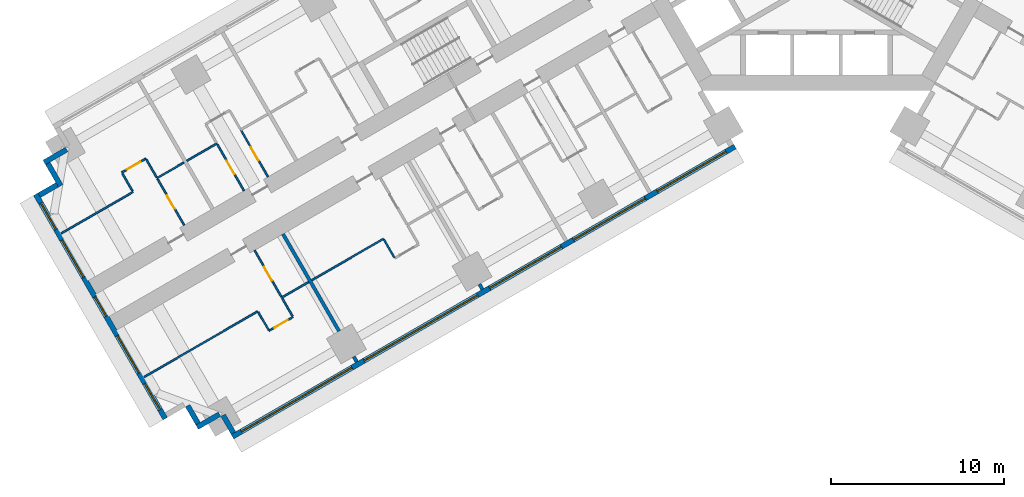
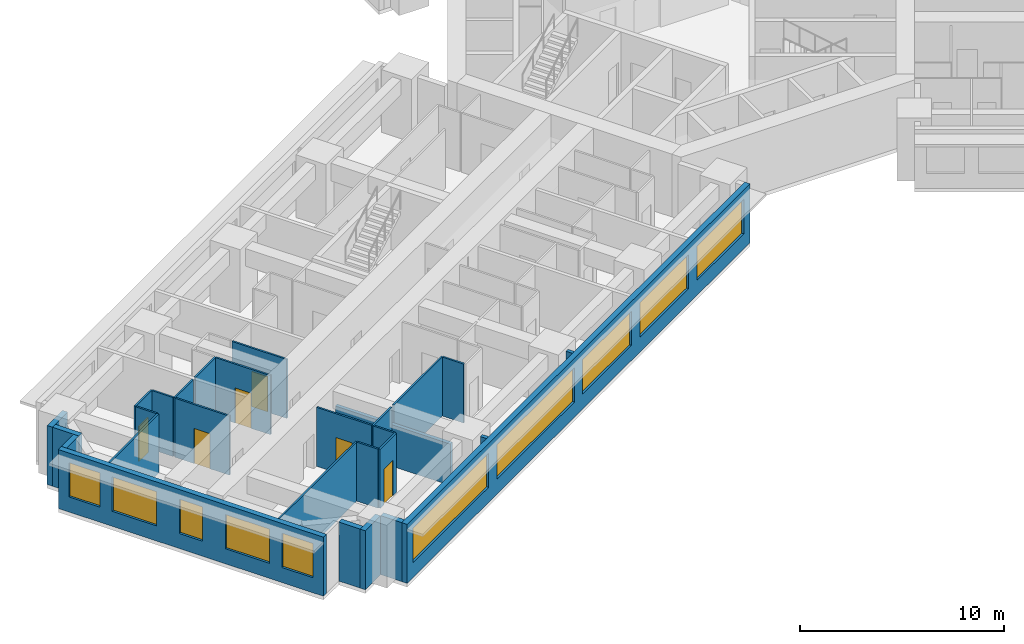
# One storey, part 3 of 17: 28 walls, 10 windows, 6 doors, 16 openings.
"""IFC4 building model written with IfcOpenShell, lengths in metres."""

import ifcopenshell
import ifcopenshell.guid

model = None  # the IFC model being written
_history = None  # IfcOwnerHistory: only IFC2X3 demands one
_inside = {}  # id of a spatial element -> (the spatial element, [elements in it])
_under = {}  # id of a project, library or spatial element -> (it, [spatial elements below it])
_declared = {}  # id of a project -> (the project, [libraries it declares])
_typed = {}  # id of a type object -> (the type object, [elements of that type])
_made_of = {}  # id of a material, layer set ... -> (it, [elements and type objects made of it])


def new_model(schema):
    """Start an empty IFC model of exactly this schema.

    Asked for "IFC4X3", IfcOpenShell would pick the latest addendum, in which some entities
    have other attributes; the version numbers below select the first issue.
    IFC2X3 requires an IfcOwnerHistory on every rooted entity: one is made here for all.
    """
    global model, _history
    if schema == "IFC4X3":
        model = ifcopenshell.file(schema_version=(4, 3, 0, 0))
    else:
        model = ifcopenshell.file(schema=schema)
    _inside.clear()
    _under.clear()
    _declared.clear()
    _typed.clear()
    _made_of.clear()
    _history = None
    if model.schema == "IFC2X3":
        org = make("IfcOrganization", Name="unknown")
        user = make(
            "IfcPersonAndOrganization",
            ThePerson=make("IfcPerson", FamilyName="unknown"),
            TheOrganization=org,
        )
        app = make(
            "IfcApplication",
            ApplicationDeveloper=org,
            Version="unknown",
            ApplicationFullName="unknown",
            ApplicationIdentifier="unknown",
        )
        _history = make(
            "IfcOwnerHistory",
            OwningUser=user,
            OwningApplication=app,
            ChangeAction="ADDED",
            CreationDate=0,
        )
    return model


def make(cls, **values):
    """One entity of the class cls with the attributes given. An attribute that is None is left unset."""
    return model.create_entity(
        cls, **{name: value for name, value in values.items() if value is not None}
    )


def rooted(cls, **values):
    """An entity with a GlobalId (a new one), such as an element, a storey or a relation."""
    return make(cls, GlobalId=ifcopenshell.guid.new(), OwnerHistory=_history, **values)


def si_unit(unit_type, name, prefix=None):
    """IfcSIUnit, for example si_unit("LENGTHUNIT", "METRE", prefix="MILLI")."""
    return make("IfcSIUnit", UnitType=unit_type, Prefix=prefix, Name=name)


def assignment(units):
    """IfcUnitAssignment: the units of a project."""
    return None if units is None else make("IfcUnitAssignment", Units=units)


def point(xyz):
    """IfcCartesianPoint."""
    return None if xyz is None else make("IfcCartesianPoint", Coordinates=xyz)


def direction(xyz):
    """IfcDirection."""
    return None if xyz is None else make("IfcDirection", DirectionRatios=xyz)


def frame(location, z_axis=None, x_axis=None):
    """IfcAxis2Placement3D, a coordinate frame: its origin and axes. An axis left out is left unset."""
    return make(
        "IfcAxis2Placement3D",
        Location=point(location),
        Axis=direction(z_axis),
        RefDirection=direction(x_axis),
    )


def frame_2d(location, x_axis=None):
    """IfcAxis2Placement2D, a coordinate frame in the plane: its origin and x axis."""
    return make(
        "IfcAxis2Placement2D", Location=point(location), RefDirection=direction(x_axis)
    )


def origin():
    """The frame at (0, 0, 0) with its axes left unset."""
    return frame((0.0, 0.0, 0.0))


def place(relative_to, where):
    """IfcLocalPlacement: puts the frame where relative to a parent placement (None: the world)."""
    return make(
        "IfcLocalPlacement", PlacementRelTo=relative_to, RelativePlacement=where
    )


def context(
    kind, dimensions, precision=None, world=None, true_north=None, identifier=None
):
    """IfcGeometricRepresentationContext, for example the 3D "Model" context."""
    return make(
        "IfcGeometricRepresentationContext",
        ContextIdentifier=identifier,
        ContextType=kind,
        CoordinateSpaceDimension=dimensions,
        Precision=precision,
        WorldCoordinateSystem=world,
        TrueNorth=true_north,
    )


def subcontext(parent, identifier, kind, view, scale=None):
    """IfcGeometricRepresentationSubContext, for example "Body" below "Model"."""
    return make(
        "IfcGeometricRepresentationSubContext",
        ContextIdentifier=identifier,
        ContextType=kind,
        ParentContext=parent,
        TargetScale=scale,
        TargetView=view,
    )


def project(units=None, contexts=None):
    """IfcProject with its units and contexts."""
    return rooted(
        "IfcProject",
        Name="project",
        RepresentationContexts=contexts,
        UnitsInContext=assignment(units),
    )


def spatial(cls, under=None, at=None, **own):
    """A site, building, storey or space (cls), placed at a placement, below another one or the project."""
    s = rooted(cls, ObjectPlacement=at, **own)
    if under is not None:
        _under.setdefault(under.id(), (under, []))[1].append(s)
    return s


def profile(cls, at=None, kind="AREA", **sizes):
    """A parametric profile (cls). Its sizes go by their IFC names, for example OverallWidth=200.0."""
    return make(cls, ProfileType=kind, Position=at, **sizes)


def rectangle(**sizes):
    """IfcRectangleProfileDef."""
    return profile("IfcRectangleProfileDef", **sizes)


def extrude(swept, where, along, depth):
    """IfcExtrudedAreaSolid: the profile swept, set in the frame where, extruded along a direction by depth."""
    return make(
        "IfcExtrudedAreaSolid",
        SweptArea=swept,
        Position=where,
        ExtrudedDirection=direction(along),
        Depth=depth,
    )


def shape(context_of_items, identifier, shape_type, items):
    """IfcShapeRepresentation: the items that make up one representation, for example the "Body"."""
    return make(
        "IfcShapeRepresentation",
        ContextOfItems=context_of_items,
        RepresentationIdentifier=identifier,
        RepresentationType=shape_type,
        Items=items,
    )


def material(Name=None, Category=None):
    """IfcMaterial."""
    return make("IfcMaterial", Name=Name, Category=Category)


def layer(
    of_material, thickness, ventilated=None, Name=None, Category=None, Priority=None
):
    """IfcMaterialLayer: one layer of a wall or slab, of a material (None: an air gap)."""
    return make(
        "IfcMaterialLayer",
        Material=of_material,
        LayerThickness=thickness,
        IsVentilated=ventilated,
        Name=Name,
        Category=Category,
        Priority=Priority,
    )


def layer_set(layers, Name=None):
    """IfcMaterialLayerSet."""
    return make("IfcMaterialLayerSet", MaterialLayers=layers, LayerSetName=Name)


def made_of(thing, what):
    """Note that an element or type object is made of a material, layer set ...; save() writes the relation."""
    if what is not None:
        _made_of.setdefault(what.id(), (what, []))[1].append(thing)
    return thing


def type_object(cls, material=None, **own):
    """A type object (cls), such as IfcWallType, which elements share."""
    return made_of(rooted(cls, **own), material)


def element(
    cls,
    number,
    at=None,
    inside=None,
    cuts=None,
    type_object=None,
    material=None,
    context=None,
    identifier="Body",
    shape_type=None,
    held_by="IfcProductDefinitionShape",
    body=None,
    shapes=None,
    **own,
):
    """One element of the class cls, such as IfcWall. Its Tag is "e" and its number.

    at: its placement. inside: the storey or other place that contains it. cuts: it is an
    opening in that element (IfcRelVoidsElement). A single representation is given by context,
    identifier, shape_type and body (its items); several are given by shapes. held_by: the class
    of the entity that holds the representations. save() writes the other relations.
    """
    e = rooted(cls, Tag="e%d" % number, ObjectPlacement=at, **own)
    if body is not None:
        shapes = [shape(context, identifier, shape_type, body)]
    if shapes is not None:
        e.Representation = make(held_by, Representations=shapes)
    if inside is not None:
        _inside.setdefault(inside.id(), (inside, []))[1].append(e)
    if cuts is not None:
        rooted(
            "IfcRelVoidsElement", RelatingBuildingElement=cuts, RelatedOpeningElement=e
        )
    if type_object is not None:
        _typed.setdefault(type_object.id(), (type_object, []))[1].append(e)
    return made_of(e, material)


def fill(opening, filler):
    """IfcRelFillsElement: the door or window that sits in an opening."""
    return rooted(
        "IfcRelFillsElement",
        RelatingOpeningElement=opening,
        RelatedBuildingElement=filler,
    )


def aggregate(whole, parts):
    """IfcRelAggregates: a whole, such as a stair, and the parts it consists of."""
    return rooted("IfcRelAggregates", RelatingObject=whole, RelatedObjects=parts)


def save(model, path):
    """Write the relations noted so far, then the file.

    IfcRelAggregates (storeys below a building ...), IfcRelContainedInSpatialStructure (elements
    in a storey), IfcRelDefinesByType, IfcRelAssociatesMaterial and IfcRelDeclares: one each for
    every whole, place, type object, material and project.
    """
    for whole, parts in _under.values():
        aggregate(whole, parts)
    for where, things in _inside.values():
        rooted(
            "IfcRelContainedInSpatialStructure",
            RelatedElements=things,
            RelatingStructure=where,
        )
    for kind, things in _typed.values():
        rooted("IfcRelDefinesByType", RelatedObjects=things, RelatingType=kind)
    for what, things in _made_of.values():
        rooted("IfcRelAssociatesMaterial", RelatedObjects=things, RelatingMaterial=what)
    for by, libraries in _declared.values():
        rooted("IfcRelDeclares", RelatingContext=by, RelatedDefinitions=libraries)
    model.write(path)


model = new_model("IFC4")

# Units and contexts
model_context = context("Model", 3, precision=1e-05, world=origin(), true_north=direction((0.0, 1.0)))
body_context = subcontext(model_context, "Body", "Model", "MODEL_VIEW")
ifc_project = project(units=[si_unit("LENGTHUNIT", "METRE"), si_unit("AREAUNIT", "SQUARE_METRE"), si_unit("VOLUMEUNIT", "CUBIC_METRE"), si_unit("PLANEANGLEUNIT", "RADIAN"), si_unit("MASSUNIT", "GRAM", prefix="KILO")], contexts=[model_context])

# Site, building, storey
site_placement = place(None, origin())
site = spatial("IfcSite", under=ifc_project, at=site_placement, CompositionType="ELEMENT")
building_placement = place(site_placement, origin())
building = spatial("IfcBuilding", under=site, at=building_placement, Name="Impinga Residences", CompositionType="ELEMENT")
storey_placement = place(building_placement, frame((0.0, 0.0, 33.5)))
storey = spatial("IfcBuildingStorey", under=building, at=storey_placement, Name="L07", CompositionType="ELEMENT", Elevation=33.5)

# Walls
ifc_material_1 = material(Name="Terracotta rainscreen on blockwork", Category="masonry")
ifc_layer_1 = layer(ifc_material_1, 0.300048828125)
ifc_layer_set_1 = layer_set([ifc_layer_1], Name="EW1 external wall, terracotta rainscreen on blockwork 300")
wall_type_1 = type_object("IfcWallType", Name="EW1 external wall, terracotta rainscreen on blockwork 300", PredefinedType="SOLIDWALL", material=ifc_layer_set_1)
wall_1_placement = place(storey_placement, frame((-33.7685546875, -31.274169921875, 0.0), z_axis=(0.0, 0.0, 1.0), x_axis=(-0.499940577336, 0.866059708757, 0.0)))
element("IfcWall", 1, at=wall_1_placement, inside=storey, type_object=wall_type_1, Name="External wall EW1 L07", PredefinedType="SOLIDWALL", context=body_context, shape_type="SweptSolid", body=[
    extrude(rectangle(XDim=1.195068359375, YDim=0.300048828125, at=frame_2d((0.59765625, 0.0))), origin(), (0.0, 0.0, 1.0), 3.530029296875),
])
wall_2_placement = place(storey_placement, frame((-34.573486328125, -30.18017578125, 0.0), z_axis=(0.0, 0.0, 1.0), x_axis=(-0.866031096941, -0.499990139034, 0.0)))
element("IfcWall", 2, at=wall_2_placement, inside=storey, type_object=wall_type_1, Name="External wall EW1 L07", PredefinedType="SOLIDWALL", context=body_context, shape_type="SweptSolid", body=[
    extrude(rectangle(XDim=1.5, YDim=0.300048828125, at=frame_2d((0.75, 0.0))), origin(), (0.0, 0.0, 1.0), 3.530029296875),
])
wall_3_placement = place(storey_placement, frame((-35.817626953125, -30.72509765625, 0.0), z_axis=(0.0, 0.0, 1.0), x_axis=(-0.499969057507, 0.866043267704, 0.0)))
element("IfcWall", 3, at=wall_3_placement, inside=storey, type_object=wall_type_1, Name="External wall EW1 L07", PredefinedType="SOLIDWALL", context=body_context, shape_type="SweptSolid", body=[
    extrude(rectangle(XDim=1.19970703125, YDim=0.300048828125, at=frame_2d((0.599853515625, 0.0))), origin(), (0.0, 0.0, 1.0), 3.530029296875),
])

# Wall, openings, windows
wall_4_placement = place(storey_placement, frame((-37.716552734375, -30.43603515625, 0.0), z_axis=(0.0, 0.0, 1.0), x_axis=(-0.499997186618, 0.866027028085, 0.0)))
wall_4 = element("IfcWall", 4, at=wall_4_placement, inside=storey, type_object=wall_type_1, Name="External wall EW1 L07", PredefinedType="SOLIDWALL", context=body_context, shape_type="SweptSolid", body=[
    extrude(rectangle(XDim=15.0, YDim=0.300048828125, at=frame_2d((7.5, 0.0))), origin(), (0.0, 0.0, 1.0), 3.530029296875),
])
opening_1_placement = place(wall_4_placement, frame((0.60009765625, 0.0, 0.89990234375)))
opening_1 = element("IfcOpeningElement", 5, at=opening_1_placement, cuts=wall_4, Name="Opening W1", PredefinedType="OPENING", context=body_context, shape_type="SweptSolid", body=[
    extrude(rectangle(XDim=1.75, YDim=2.050048828125, at=frame_2d((0.875, 1.02490234375))), frame((0.0, 0.159912109375, 0.0), z_axis=(0.0, -1.0, 0.0), x_axis=(1.0, 0.0, 0.0)), (0.0, 0.0, 1.0), 0.320068359375),
])
opening_2_placement = place(wall_4_placement, frame((3.050048828125, 0.0, 0.89990234375)))
opening_2 = element("IfcOpeningElement", 6, at=opening_2_placement, cuts=wall_4, Name="Opening W2", PredefinedType="OPENING", context=body_context, shape_type="SweptSolid", body=[
    extrude(rectangle(XDim=2.5, YDim=2.050048828125, at=frame_2d((1.25, 1.02490234375))), frame((0.0, 0.159912109375, 0.0), z_axis=(0.0, -1.0, 0.0), x_axis=(1.0, 0.0, 0.0)), (0.0, 0.0, 1.0), 0.320068359375),
])
opening_3_placement = place(wall_4_placement, frame((6.85009765625, 0.0, 0.89990234375)))
opening_3 = element("IfcOpeningElement", 7, at=opening_3_placement, cuts=wall_4, Name="Opening WE1", PredefinedType="OPENING", context=body_context, shape_type="SweptSolid", body=[
    extrude(rectangle(XDim=1.300048828125, YDim=2.050048828125, at=frame_2d((0.64990234375, 1.02490234375))), frame((0.0, 0.159912109375, 0.0), z_axis=(0.0, -1.0, 0.0), x_axis=(1.0, 0.0, 0.0)), (0.0, 0.0, 1.0), 0.320068359375),
])
opening_4_placement = place(wall_4_placement, frame((9.449951171875, 0.0, 0.89990234375)))
opening_4 = element("IfcOpeningElement", 8, at=opening_4_placement, cuts=wall_4, Name="Opening W2", PredefinedType="OPENING", context=body_context, shape_type="SweptSolid", body=[
    extrude(rectangle(XDim=2.5, YDim=2.050048828125, at=frame_2d((1.25, 1.02490234375))), frame((0.0, 0.159912109375, 0.0), z_axis=(0.0, -1.0, 0.0), x_axis=(1.0, 0.0, 0.0)), (0.0, 0.0, 1.0), 0.320068359375),
])
opening_5_placement = place(wall_4_placement, frame((12.64990234375, 0.0, 0.89990234375)))
opening_5 = element("IfcOpeningElement", 9, at=opening_5_placement, cuts=wall_4, Name="Opening W1", PredefinedType="OPENING", context=body_context, shape_type="SweptSolid", body=[
    extrude(rectangle(XDim=1.75, YDim=2.050048828125, at=frame_2d((0.875, 1.02490234375))), frame((0.0, 0.159912109375, 0.0), z_axis=(0.0, -1.0, 0.0), x_axis=(1.0, 0.0, 0.0)), (0.0, 0.0, 1.0), 0.320068359375),
])
ifc_material_2 = material(Name="Aluminium window, clear double glazing", Category="aluminium")
window_type_1 = type_object("IfcWindowType", Name="W1 ribbon window 1750x2050", PartitioningType="SINGLE_PANEL", PredefinedType="WINDOW", material=ifc_material_2)
window_1_placement = place(opening_1_placement, origin())
window_1 = element("IfcWindow", 10, at=window_1_placement, inside=storey, type_object=window_type_1, Name="Window L07", OverallHeight=2.050048828125, OverallWidth=1.75, PartitioningType="SINGLE_PANEL", PredefinedType="WINDOW", context=body_context, shape_type="SweptSolid", body=[
    extrude(rectangle(XDim=1.75, YDim=2.050048828125, at=frame_2d((0.875, 1.02490234375))), frame((0.0, 0.030029296875, 0.0), z_axis=(0.0, -1.0, 0.0), x_axis=(1.0, 0.0, 0.0)), (0.0, 0.0, 1.0), 0.06005859375),
])
fill(opening_1, window_1)
window_2_placement = place(opening_5_placement, origin())
window_2 = element("IfcWindow", 11, at=window_2_placement, inside=storey, type_object=window_type_1, Name="Window L07", OverallHeight=2.050048828125, OverallWidth=1.75, PartitioningType="SINGLE_PANEL", PredefinedType="WINDOW", context=body_context, shape_type="SweptSolid", body=[
    extrude(rectangle(XDim=1.75, YDim=2.050048828125, at=frame_2d((0.875, 1.02490234375))), frame((0.0, 0.030029296875, 0.0), z_axis=(0.0, -1.0, 0.0), x_axis=(1.0, 0.0, 0.0)), (0.0, 0.0, 1.0), 0.06005859375),
])
fill(opening_5, window_2)
window_type_2 = type_object("IfcWindowType", Name="W2 ribbon window 2500x2050", PartitioningType="SINGLE_PANEL", PredefinedType="WINDOW", material=ifc_material_2)
window_3_placement = place(opening_2_placement, origin())
window_3 = element("IfcWindow", 12, at=window_3_placement, inside=storey, type_object=window_type_2, Name="Window L07", OverallHeight=2.050048828125, OverallWidth=2.5, PartitioningType="SINGLE_PANEL", PredefinedType="WINDOW", context=body_context, shape_type="SweptSolid", body=[
    extrude(rectangle(XDim=2.5, YDim=2.050048828125, at=frame_2d((1.25, 1.02490234375))), frame((0.0, 0.030029296875, 0.0), z_axis=(0.0, -1.0, 0.0), x_axis=(1.0, 0.0, 0.0)), (0.0, 0.0, 1.0), 0.06005859375),
])
fill(opening_2, window_3)
window_4_placement = place(opening_4_placement, origin())
window_4 = element("IfcWindow", 13, at=window_4_placement, inside=storey, type_object=window_type_2, Name="Window L07", OverallHeight=2.050048828125, OverallWidth=2.5, PartitioningType="SINGLE_PANEL", PredefinedType="WINDOW", context=body_context, shape_type="SweptSolid", body=[
    extrude(rectangle(XDim=2.5, YDim=2.050048828125, at=frame_2d((1.25, 1.02490234375))), frame((0.0, 0.030029296875, 0.0), z_axis=(0.0, -1.0, 0.0), x_axis=(1.0, 0.0, 0.0)), (0.0, 0.0, 1.0), 0.06005859375),
])
fill(opening_4, window_4)
window_type_3 = type_object("IfcWindowType", Name="WE1 corridor window 1300x2050", PartitioningType="SINGLE_PANEL", PredefinedType="WINDOW", material=ifc_material_2)
window_5_placement = place(opening_3_placement, origin())
window_5 = element("IfcWindow", 14, at=window_5_placement, inside=storey, type_object=window_type_3, Name="Window L07", OverallHeight=2.050048828125, OverallWidth=1.300048828125, PartitioningType="SINGLE_PANEL", PredefinedType="WINDOW", context=body_context, shape_type="SweptSolid", body=[
    extrude(rectangle(XDim=1.300048828125, YDim=2.050048828125, at=frame_2d((0.64990234375, 1.02490234375))), frame((0.0, 0.030029296875, 0.0), z_axis=(0.0, -1.0, 0.0), x_axis=(1.0, 0.0, 0.0)), (0.0, 0.0, 1.0), 0.06005859375),
])
fill(opening_3, window_5)

# Walls
wall_5_placement = place(storey_placement, frame((-45.01171875, -17.50048828125, 0.0), z_axis=(0.0, 0.0, 1.0), x_axis=(0.866059708757, 0.499940577336, 0.0)))
element("IfcWall", 15, at=wall_5_placement, inside=storey, type_object=wall_type_1, Name="External wall EW1 L07", PredefinedType="SOLIDWALL", context=body_context, shape_type="SweptSolid", body=[
    extrude(rectangle(XDim=1.195068359375, YDim=0.300048828125, at=frame_2d((0.59765625, 0.0))), origin(), (0.0, 0.0, 1.0), 3.530029296875),
])
for number, where, z_axis, x_axis, name in (
    (16, (-43.767578125, -16.955322265625, 0.0), (0.0, 0.0, 1.0), (-0.499990139034, 0.866031096941, 0.0), "External wall EW1 L07"),
    (17, (-44.722412109375, -15.6015625, 0.0), (0.0, 0.0, 1.0), (0.866031096941, 0.499990139034, 0.0), "External wall EW1 L07"),
):
    element("IfcWall", number, at=place(storey_placement, frame(where, z_axis=z_axis, x_axis=x_axis)), inside=storey, type_object=wall_type_1, Name=name, PredefinedType="SOLIDWALL", context=body_context, shape_type="SweptSolid", body=[
        extrude(rectangle(XDim=1.5, YDim=0.300048828125, at=frame_2d((0.75, 0.0))), origin(), (0.0, 0.0, 1.0), 3.530029296875),
    ])

# Wall, openings, windows
wall_6_placement = place(storey_placement, frame((-4.72509765625, -14.67919921875, 0.0), z_axis=(0.0, 0.0, 1.0), x_axis=(-0.866024291668, -0.500001926238, 0.0)))
wall_6 = element("IfcWall", 18, at=wall_6_placement, inside=storey, type_object=wall_type_1, Name="External wall EW1 L07", PredefinedType="SOLIDWALL", context=body_context, shape_type="SweptSolid", body=[
    extrude(rectangle(XDim=33.599853515625, YDim=0.300048828125, at=frame_2d((16.7998046875, 0.0))), origin(), (0.0, 0.0, 1.0), 3.530029296875),
])
opening_6_placement = place(wall_6_placement, frame((0.60009765625, 0.0, 0.89990234375)))
opening_6 = element("IfcOpeningElement", 19, at=opening_6_placement, cuts=wall_6, Name="Opening W3", PredefinedType="OPENING", context=body_context, shape_type="SweptSolid", body=[
    extrude(rectangle(XDim=4.60009765625, YDim=2.050048828125, at=frame_2d((2.300048828125, 1.02490234375))), frame((0.0, 0.159912109375, 0.0), z_axis=(0.0, -1.0, 0.0), x_axis=(1.0, 0.0, 0.0)), (0.0, 0.0, 1.0), 0.320068359375),
])
opening_7_placement = place(wall_6_placement, frame((6.0, 0.0, 0.89990234375)))
opening_7 = element("IfcOpeningElement", 20, at=opening_7_placement, cuts=wall_6, Name="Opening W8", PredefinedType="OPENING", context=body_context, shape_type="SweptSolid", body=[
    extrude(rectangle(XDim=4.800048828125, YDim=2.050048828125, at=frame_2d((2.39990234375, 1.02490234375))), frame((0.0, 0.159912109375, 0.0), z_axis=(0.0, -1.0, 0.0), x_axis=(1.0, 0.0, 0.0)), (0.0, 0.0, 1.0), 0.320068359375),
])
opening_8_placement = place(wall_6_placement, frame((11.60009765625, 0.0, 0.89990234375)))
opening_8 = element("IfcOpeningElement", 21, at=opening_8_placement, cuts=wall_6, Name="Opening W8", PredefinedType="OPENING", context=body_context, shape_type="SweptSolid", body=[
    extrude(rectangle(XDim=4.800048828125, YDim=2.050048828125, at=frame_2d((2.39990234375, 1.02490234375))), frame((0.0, 0.159912109375, 0.0), z_axis=(0.0, -1.0, 0.0), x_axis=(1.0, 0.0, 0.0)), (0.0, 0.0, 1.0), 0.320068359375),
])
opening_9_placement = place(wall_6_placement, frame((17.199951171875, 0.0, 0.89990234375)))
opening_9 = element("IfcOpeningElement", 22, at=opening_9_placement, cuts=wall_6, Name="Opening W5", PredefinedType="OPENING", context=body_context, shape_type="SweptSolid", body=[
    extrude(rectangle(XDim=7.60009765625, YDim=2.050048828125, at=frame_2d((3.800048828125, 1.02490234375))), frame((0.0, 0.159912109375, 0.0), z_axis=(0.0, -1.0, 0.0), x_axis=(1.0, 0.0, 0.0)), (0.0, 0.0, 1.0), 0.320068359375),
])
opening_10_placement = place(wall_6_placement, frame((25.60009765625, 0.0, 0.89990234375)))
opening_10 = element("IfcOpeningElement", 23, at=opening_10_placement, cuts=wall_6, Name="Opening W12", PredefinedType="OPENING", context=body_context, shape_type="SweptSolid", body=[
    extrude(rectangle(XDim=7.39990234375, YDim=2.050048828125, at=frame_2d((3.699951171875, 1.02490234375))), frame((0.0, 0.159912109375, 0.0), z_axis=(0.0, -1.0, 0.0), x_axis=(1.0, 0.0, 0.0)), (0.0, 0.0, 1.0), 0.320068359375),
])
window_type_4 = type_object("IfcWindowType", Name="W12 ribbon window 7400x2050", PartitioningType="SINGLE_PANEL", PredefinedType="WINDOW", material=ifc_material_2)
window_6_placement = place(opening_10_placement, origin())
window_6 = element("IfcWindow", 24, at=window_6_placement, inside=storey, type_object=window_type_4, Name="Window L07", OverallHeight=2.050048828125, OverallWidth=7.39990234375, PartitioningType="SINGLE_PANEL", PredefinedType="WINDOW", context=body_context, shape_type="SweptSolid", body=[
    extrude(rectangle(XDim=7.39990234375, YDim=2.050048828125, at=frame_2d((3.699951171875, 1.02490234375))), frame((0.0, 0.030029296875, 0.0), z_axis=(0.0, -1.0, 0.0), x_axis=(1.0, 0.0, 0.0)), (0.0, 0.0, 1.0), 0.06005859375),
])
fill(opening_10, window_6)
window_type_5 = type_object("IfcWindowType", Name="W3 ribbon window 4600x2050", PartitioningType="SINGLE_PANEL", PredefinedType="WINDOW", material=ifc_material_2)
window_7_placement = place(opening_6_placement, origin())
window_7 = element("IfcWindow", 25, at=window_7_placement, inside=storey, type_object=window_type_5, Name="Window L07", OverallHeight=2.050048828125, OverallWidth=4.60009765625, PartitioningType="SINGLE_PANEL", PredefinedType="WINDOW", context=body_context, shape_type="SweptSolid", body=[
    extrude(rectangle(XDim=4.60009765625, YDim=2.050048828125, at=frame_2d((2.300048828125, 1.02490234375))), frame((0.0, 0.030029296875, 0.0), z_axis=(0.0, -1.0, 0.0), x_axis=(1.0, 0.0, 0.0)), (0.0, 0.0, 1.0), 0.06005859375),
])
fill(opening_6, window_7)
window_type_6 = type_object("IfcWindowType", Name="W5 ribbon window 7600x2050", PartitioningType="SINGLE_PANEL", PredefinedType="WINDOW", material=ifc_material_2)
window_8_placement = place(opening_9_placement, origin())
window_8 = element("IfcWindow", 26, at=window_8_placement, inside=storey, type_object=window_type_6, Name="Window L07", OverallHeight=2.050048828125, OverallWidth=7.60009765625, PartitioningType="SINGLE_PANEL", PredefinedType="WINDOW", context=body_context, shape_type="SweptSolid", body=[
    extrude(rectangle(XDim=7.60009765625, YDim=2.050048828125, at=frame_2d((3.800048828125, 1.02490234375))), frame((0.0, 0.030029296875, 0.0), z_axis=(0.0, -1.0, 0.0), x_axis=(1.0, 0.0, 0.0)), (0.0, 0.0, 1.0), 0.06005859375),
])
fill(opening_9, window_8)
window_type_7 = type_object("IfcWindowType", Name="W8 ribbon window 4800x2050", PartitioningType="SINGLE_PANEL", PredefinedType="WINDOW", material=ifc_material_2)
window_9_placement = place(opening_7_placement, origin())
window_9 = element("IfcWindow", 27, at=window_9_placement, inside=storey, type_object=window_type_7, Name="Window L07", OverallHeight=2.050048828125, OverallWidth=4.800048828125, PartitioningType="SINGLE_PANEL", PredefinedType="WINDOW", context=body_context, shape_type="SweptSolid", body=[
    extrude(rectangle(XDim=4.800048828125, YDim=2.050048828125, at=frame_2d((2.39990234375, 1.02490234375))), frame((0.0, 0.030029296875, 0.0), z_axis=(0.0, -1.0, 0.0), x_axis=(1.0, 0.0, 0.0)), (0.0, 0.0, 1.0), 0.06005859375),
])
fill(opening_7, window_9)
window_10_placement = place(opening_8_placement, origin())
window_10 = element("IfcWindow", 28, at=window_10_placement, inside=storey, type_object=window_type_7, Name="Window L07", OverallHeight=2.050048828125, OverallWidth=4.800048828125, PartitioningType="SINGLE_PANEL", PredefinedType="WINDOW", context=body_context, shape_type="SweptSolid", body=[
    extrude(rectangle(XDim=4.800048828125, YDim=2.050048828125, at=frame_2d((2.39990234375, 1.02490234375))), frame((0.0, 0.030029296875, 0.0), z_axis=(0.0, -1.0, 0.0), x_axis=(1.0, 0.0, 0.0)), (0.0, 0.0, 1.0), 0.06005859375),
])
fill(opening_8, window_10)

# Walls
ifc_material_3 = material(Name="Gypsum board on steel studs", Category="steel")
ifc_layer_2 = layer(ifc_material_3, 0.10009765625)
ifc_layer_set_2 = layer_set([ifc_layer_2], Name="Gypsum board on steel studs")
wall_type_2 = type_object("IfcWallType", Name="IP1 partition 100", PredefinedType="PARTITIONING", material=ifc_layer_set_2)
wall_7_placement = place(storey_placement, frame((-25.080322265625, -20.022705078125, 0.0), z_axis=(0.0, 0.0, 1.0), x_axis=(-0.866037363387, -0.499979284789, 0.0)))
element("IfcWall", 29, at=wall_7_placement, inside=storey, type_object=wall_type_2, Name="Partition L07-WA4:DIV1", PredefinedType="PARTITIONING", context=body_context, shape_type="SweptSolid", body=[
    extrude(rectangle(XDim=4.800048828125, YDim=0.10009765625, at=frame_2d((2.39990234375, 0.0))), origin(), (0.0, 0.0, 1.0), 3.530029296875),
])
wall_8_placement = place(storey_placement, frame((-25.055419921875, -20.06591796875, 0.0), z_axis=(0.0, 0.0, 1.0), x_axis=(0.500033551112, -0.866006032174, 0.0)))
element("IfcWall", 30, at=wall_8_placement, inside=storey, type_object=wall_type_2, Name="Partition L07-WA4:SE1", PredefinedType="PARTITIONING", context=body_context, shape_type="SweptSolid", body=[
    extrude(rectangle(XDim=1.2001953125, YDim=0.10009765625, at=frame_2d((0.60009765625, 0.0))), origin(), (0.0, 0.0, 1.0), 3.530029296875),
])
wall_9_placement = place(storey_placement, frame((-29.410400390625, -22.522705078125, 0.0), z_axis=(0.0, 0.0, 1.0), x_axis=(-0.866047807691, -0.499961193289, 0.0)))
element("IfcWall", 31, at=wall_9_placement, inside=storey, type_object=wall_type_2, Name="Partition L07-WA5:DIV0", PredefinedType="PARTITIONING", context=body_context, shape_type="SweptSolid", body=[
    extrude(rectangle(XDim=1.800048828125, YDim=0.10009765625, at=frame_2d((0.89990234375, 0.0))), origin(), (0.0, 0.0, 1.0), 3.530029296875),
])
wall_10_placement = place(storey_placement, frame((-32.35498046875, -24.22265625, 0.0), z_axis=(0.0, 0.0, 1.0), x_axis=(-0.866022425744, -0.500005158081, 0.0)))
element("IfcWall", 32, at=wall_10_placement, inside=storey, type_object=wall_type_2, Name="Partition L07-WA5:DIV1", PredefinedType="PARTITIONING", context=body_context, shape_type="SweptSolid", body=[
    extrude(rectangle(XDim=7.60009765625, YDim=0.10009765625, at=frame_2d((3.800048828125, 0.0))), origin(), (0.0, 0.0, 1.0), 3.530029296875),
])

# Wall, opening, door
wall_11_placement = place(storey_placement, frame((-30.3193359375, -24.548583984375, 0.0), z_axis=(0.0, 0.0, 1.0), x_axis=(-0.865989903783, -0.500061482766, 0.0)))
wall_11 = element("IfcWall", 33, at=wall_11_placement, inside=storey, type_object=wall_type_2, Name="Partition L07-WA5:STRIP", PredefinedType="PARTITIONING", context=body_context, shape_type="SweptSolid", body=[
    extrude(rectangle(XDim=1.599853515625, YDim=0.10009765625, at=frame_2d((0.7998046875, 0.0))), origin(), (0.0, 0.0, 1.0), 3.530029296875),
])
opening_11_placement = place(wall_11_placement, frame((0.35009765625, 0.0, 0.0)))
opening_11 = element("IfcOpeningElement", 34, at=opening_11_placement, cuts=wall_11, Name="Opening D2", PredefinedType="OPENING", context=body_context, shape_type="SweptSolid", body=[
    extrude(rectangle(XDim=0.89990234375, YDim=2.10009765625, at=frame_2d((0.449951171875, 1.050048828125))), frame((0.0, 0.06005859375, 0.0), z_axis=(0.0, -1.0, 0.0), x_axis=(1.0, 0.0, 0.0)), (0.0, 0.0, 1.0), 0.1201171875),
])
ifc_material_4 = material(Name="Timber door set", Category="wood")
door_type = type_object("IfcDoorType", Name="D2 internal door 900x2100", OperationType="SINGLE_SWING_LEFT", PredefinedType="DOOR", material=ifc_material_4)
door_1_placement = place(opening_11_placement, origin())
door_1 = element("IfcDoor", 35, at=door_1_placement, inside=storey, type_object=door_type, Name="Apartment L07-WA5 room door", OperationType="SINGLE_SWING_LEFT", OverallHeight=2.10009765625, OverallWidth=0.89990234375, PredefinedType="DOOR", context=body_context, shape_type="SweptSolid", body=[
    extrude(rectangle(XDim=0.89990234375, YDim=2.10009765625, at=frame_2d((0.449951171875, 1.050048828125))), frame((0.0, 0.02490234375, 0.0), z_axis=(0.0, -1.0, 0.0), x_axis=(1.0, 0.0, 0.0)), (0.0, 0.0, 1.0), 0.050048828125),
])
fill(opening_11, door_1)

# Walls
for number, where, z_axis, x_axis, name in (
    (36, (-30.9443359375, -23.466064453125, 0.0), (0.0, 0.0, 1.0), (0.50012165622, -0.865955154139, 0.0), "Partition L07-WA5:SE0"),
    (37, (-32.329833984375, -24.265869140625, 0.0), (0.0, 0.0, 1.0), (0.499880961361, -0.866094119867, 0.0), "Partition L07-WA5:SE1"),
):
    element("IfcWall", number, at=place(storey_placement, frame(where, z_axis=z_axis, x_axis=x_axis)), inside=storey, type_object=wall_type_2, Name=name, PredefinedType="PARTITIONING", context=body_context, shape_type="SweptSolid", body=[
        extrude(rectangle(XDim=1.199951171875, YDim=0.10009765625, at=frame_2d((0.60009765625, 0.0))), origin(), (0.0, 0.0, 1.0), 3.530029296875),
    ])

# Wall, opening, door
wall_12_placement = place(storey_placement, frame((-32.544189453125, -20.69482421875, 0.0), z_axis=(0.0, 0.0, 1.0), x_axis=(0.499967891604, -0.866043940782, 0.0)))
wall_12 = element("IfcWall", 38, at=wall_12_placement, inside=storey, type_object=wall_type_2, Name="Partition L07-WA5:IB1", PredefinedType="PARTITIONING", context=body_context, shape_type="SweptSolid", body=[
    extrude(rectangle(XDim=3.099853515625, YDim=0.10009765625, at=frame_2d((1.5498046875, 0.0))), origin(), (0.0, 0.0, 1.0), 3.530029296875),
])
opening_12_placement = place(wall_12_placement, frame((1.10009765625, 0.0, 0.0)))
opening_12 = element("IfcOpeningElement", 39, at=opening_12_placement, cuts=wall_12, Name="Opening D2", PredefinedType="OPENING", context=body_context, shape_type="SweptSolid", body=[
    extrude(rectangle(XDim=0.89990234375, YDim=2.10009765625, at=frame_2d((0.449951171875, 1.050048828125))), frame((0.0, 0.06005859375, 0.0), z_axis=(0.0, -1.0, 0.0), x_axis=(1.0, 0.0, 0.0)), (0.0, 0.0, 1.0), 0.1201171875),
])
door_2_placement = place(opening_12_placement, origin())
door_2 = element("IfcDoor", 40, at=door_2_placement, inside=storey, type_object=door_type, Name="Apartment L07-WA5 bathroom door", OperationType="SINGLE_SWING_LEFT", OverallHeight=2.10009765625, OverallWidth=0.89990234375, PredefinedType="DOOR", context=body_context, shape_type="SweptSolid", body=[
    extrude(rectangle(XDim=0.89990234375, YDim=2.10009765625, at=frame_2d((0.449951171875, 1.050048828125))), frame((0.0, 0.02490234375, 0.0), z_axis=(0.0, -1.0, 0.0), x_axis=(1.0, 0.0, 0.0)), (0.0, 0.0, 1.0), 0.050048828125),
])
fill(opening_12, door_2)

# Wall
wall_13_placement = place(storey_placement, frame((-34.72998046875, -14.5087890625, 0.0), z_axis=(0.0, 0.0, 1.0), x_axis=(-0.866041268327, -0.499972520799, 0.0)))
element("IfcWall", 41, at=wall_13_placement, inside=storey, type_object=wall_type_2, Name="Partition L07-WF3:DIV1", PredefinedType="PARTITIONING", context=body_context, shape_type="SweptSolid", body=[
    extrude(rectangle(XDim=2.0, YDim=0.10009765625, at=frame_2d((1.0, 0.0))), origin(), (0.0, 0.0, 1.0), 3.530029296875),
])

# Wall, opening, door
wall_14_placement = place(storey_placement, frame((-31.76953125, -16.436767578125, 0.0), z_axis=(0.0, 0.0, 1.0), x_axis=(-0.499967891604, 0.866043940782, 0.0)))
wall_14 = element("IfcWall", 42, at=wall_14_placement, inside=storey, type_object=wall_type_2, Name="Partition L07-WF3:IB1", PredefinedType="PARTITIONING", context=body_context, shape_type="SweptSolid", body=[
    extrude(rectangle(XDim=3.099853515625, YDim=0.10009765625, at=frame_2d((1.5498046875, 0.0))), origin(), (0.0, 0.0, 1.0), 3.530029296875),
])
opening_13_placement = place(wall_14_placement, frame((1.10009765625, 0.0, 0.0)))
opening_13 = element("IfcOpeningElement", 43, at=opening_13_placement, cuts=wall_14, Name="Opening D2", PredefinedType="OPENING", context=body_context, shape_type="SweptSolid", body=[
    extrude(rectangle(XDim=0.89990234375, YDim=2.10009765625, at=frame_2d((0.449951171875, 1.050048828125))), frame((0.0, 0.06005859375, 0.0), z_axis=(0.0, -1.0, 0.0), x_axis=(1.0, 0.0, 0.0)), (0.0, 0.0, 1.0), 0.1201171875),
])
door_3_placement = place(opening_13_placement, origin())
door_3 = element("IfcDoor", 44, at=door_3_placement, inside=storey, type_object=door_type, Name="Apartment L07-WF3 bathroom door", OperationType="SINGLE_SWING_LEFT", OverallHeight=2.10009765625, OverallWidth=0.89990234375, PredefinedType="DOOR", context=body_context, shape_type="SweptSolid", body=[
    extrude(rectangle(XDim=0.89990234375, YDim=2.10009765625, at=frame_2d((0.449951171875, 1.050048828125))), frame((0.0, 0.02490234375, 0.0), z_axis=(0.0, -1.0, 0.0), x_axis=(1.0, 0.0, 0.0)), (0.0, 0.0, 1.0), 0.050048828125),
])
fill(opening_13, door_3)

wall_15_placement = place(storey_placement, frame((-33.155029296875, -17.23681640625, 0.0), z_axis=(0.0, 0.0, 1.0), x_axis=(-0.500026960575, 0.86600983753, 0.0)))
wall_15 = element("IfcWall", 45, at=wall_15_placement, inside=storey, type_object=wall_type_2, Name="Partition L07-WF3:IB2", PredefinedType="PARTITIONING", context=body_context, shape_type="SweptSolid", body=[
    extrude(rectangle(XDim=3.099853515625, YDim=0.10009765625, at=frame_2d((1.5498046875, 0.0))), origin(), (0.0, 0.0, 1.0), 3.530029296875),
])
opening_14_placement = place(wall_15_placement, frame((1.10009765625, 0.0, 0.0)))
opening_14 = element("IfcOpeningElement", 46, at=opening_14_placement, cuts=wall_15, Name="Opening D2", PredefinedType="OPENING", context=body_context, shape_type="SweptSolid", body=[
    extrude(rectangle(XDim=0.89990234375, YDim=2.10009765625, at=frame_2d((0.449951171875, 1.050048828125))), frame((0.0, 0.06005859375, 0.0), z_axis=(0.0, -1.0, 0.0), x_axis=(1.0, 0.0, 0.0)), (0.0, 0.0, 1.0), 0.1201171875),
])
door_4_placement = place(opening_14_placement, origin())
door_4 = element("IfcDoor", 47, at=door_4_placement, inside=storey, type_object=door_type, Name="Apartment L07-WF3 WC door", OperationType="SINGLE_SWING_LEFT", OverallHeight=2.10009765625, OverallWidth=0.89990234375, PredefinedType="DOOR", context=body_context, shape_type="SweptSolid", body=[
    extrude(rectangle(XDim=0.89990234375, YDim=2.10009765625, at=frame_2d((0.449951171875, 1.050048828125))), frame((0.0, 0.02490234375, 0.0), z_axis=(0.0, -1.0, 0.0), x_axis=(1.0, 0.0, 0.0)), (0.0, 0.0, 1.0), 0.050048828125),
])
fill(opening_14, door_4)

# Walls
wall_16_placement = place(storey_placement, frame((-36.63525390625, -15.60888671875, 0.0), z_axis=(0.0, 0.0, 1.0), x_axis=(-0.866047807691, -0.499961193289, 0.0)))
element("IfcWall", 48, at=wall_16_placement, inside=storey, type_object=wall_type_2, Name="Partition L07-WF4:DIV0", PredefinedType="PARTITIONING", context=body_context, shape_type="SweptSolid", body=[
    extrude(rectangle(XDim=1.800048828125, YDim=0.10009765625, at=frame_2d((0.89990234375, 0.0))), origin(), (0.0, 0.0, 1.0), 3.530029296875),
])
wall_17_placement = place(storey_placement, frame((-39.579833984375, -17.308837890625, 0.0), z_axis=(0.0, 0.0, 1.0), x_axis=(-0.866037363387, -0.499979284789, 0.0)))
element("IfcWall", 49, at=wall_17_placement, inside=storey, type_object=wall_type_2, Name="Partition L07-WF4:DIV1", PredefinedType="PARTITIONING", context=body_context, shape_type="SweptSolid", body=[
    extrude(rectangle(XDim=4.800048828125, YDim=0.10009765625, at=frame_2d((2.39990234375, 0.0))), origin(), (0.0, 0.0, 1.0), 3.530029296875),
])

# Wall, opening, door
wall_18_placement = place(storey_placement, frame((-38.84423828125, -15.383056640625, 0.0), z_axis=(0.0, 0.0, 1.0), x_axis=(-0.865989903783, -0.500061482766, 0.0)))
wall_18 = element("IfcWall", 50, at=wall_18_placement, inside=storey, type_object=wall_type_2, Name="Partition L07-WF4:STRIP", PredefinedType="PARTITIONING", context=body_context, shape_type="SweptSolid", body=[
    extrude(rectangle(XDim=1.599853515625, YDim=0.10009765625, at=frame_2d((0.7998046875, 0.0))), origin(), (0.0, 0.0, 1.0), 3.530029296875),
])
opening_15_placement = place(wall_18_placement, frame((0.35009765625, 0.0, 0.0)))
opening_15 = element("IfcOpeningElement", 51, at=opening_15_placement, cuts=wall_18, Name="Opening D2", PredefinedType="OPENING", context=body_context, shape_type="SweptSolid", body=[
    extrude(rectangle(XDim=0.89990234375, YDim=2.10009765625, at=frame_2d((0.449951171875, 1.050048828125))), frame((0.0, 0.06005859375, 0.0), z_axis=(0.0, -1.0, 0.0), x_axis=(1.0, 0.0, 0.0)), (0.0, 0.0, 1.0), 0.1201171875),
])
door_5_placement = place(opening_15_placement, origin())
door_5 = element("IfcDoor", 52, at=door_5_placement, inside=storey, type_object=door_type, Name="Apartment L07-WF4 room door", OperationType="SINGLE_SWING_LEFT", OverallHeight=2.10009765625, OverallWidth=0.89990234375, PredefinedType="DOOR", context=body_context, shape_type="SweptSolid", body=[
    extrude(rectangle(XDim=0.89990234375, YDim=2.10009765625, at=frame_2d((0.449951171875, 1.050048828125))), frame((0.0, 0.02490234375, 0.0), z_axis=(0.0, -1.0, 0.0), x_axis=(1.0, 0.0, 0.0)), (0.0, 0.0, 1.0), 0.050048828125),
])
fill(opening_15, door_5)

# Walls
wall_19_placement = place(storey_placement, frame((-38.21923828125, -16.465576171875, 0.0), z_axis=(0.0, 0.0, 1.0), x_axis=(-0.499880961361, 0.866094119867, 0.0)))
element("IfcWall", 53, at=wall_19_placement, inside=storey, type_object=wall_type_2, Name="Partition L07-WF4:SE0", PredefinedType="PARTITIONING", context=body_context, shape_type="SweptSolid", body=[
    extrude(rectangle(XDim=1.199951171875, YDim=0.10009765625, at=frame_2d((0.60009765625, 0.0))), origin(), (0.0, 0.0, 1.0), 3.530029296875),
])
wall_20_placement = place(storey_placement, frame((-39.604736328125, -17.265625, 0.0), z_axis=(0.0, 0.0, 1.0), x_axis=(-0.500033551112, 0.866006032174, 0.0)))
element("IfcWall", 54, at=wall_20_placement, inside=storey, type_object=wall_type_2, Name="Partition L07-WF4:SE1", PredefinedType="PARTITIONING", context=body_context, shape_type="SweptSolid", body=[
    extrude(rectangle(XDim=1.2001953125, YDim=0.10009765625, at=frame_2d((0.60009765625, 0.0))), origin(), (0.0, 0.0, 1.0), 3.530029296875),
])

# Wall, opening, door
wall_21_placement = place(storey_placement, frame((-36.619140625, -19.23681640625, 0.0), z_axis=(0.0, 0.0, 1.0), x_axis=(-0.500026960575, 0.86600983753, 0.0)))
wall_21 = element("IfcWall", 55, at=wall_21_placement, inside=storey, type_object=wall_type_2, Name="Partition L07-WF4:IB1", PredefinedType="PARTITIONING", context=body_context, shape_type="SweptSolid", body=[
    extrude(rectangle(XDim=3.099853515625, YDim=0.10009765625, at=frame_2d((1.5498046875, 0.0))), origin(), (0.0, 0.0, 1.0), 3.530029296875),
])
opening_16_placement = place(wall_21_placement, frame((1.10009765625, 0.0, 0.0)))
opening_16 = element("IfcOpeningElement", 56, at=opening_16_placement, cuts=wall_21, Name="Opening D2", PredefinedType="OPENING", context=body_context, shape_type="SweptSolid", body=[
    extrude(rectangle(XDim=0.89990234375, YDim=2.10009765625, at=frame_2d((0.449951171875, 1.050048828125))), frame((0.0, 0.06005859375, 0.0), z_axis=(0.0, -1.0, 0.0), x_axis=(1.0, 0.0, 0.0)), (0.0, 0.0, 1.0), 0.1201171875),
])
door_6_placement = place(opening_16_placement, origin())
door_6 = element("IfcDoor", 57, at=door_6_placement, inside=storey, type_object=door_type, Name="Apartment L07-WF4 bathroom door", OperationType="SINGLE_SWING_LEFT", OverallHeight=2.10009765625, OverallWidth=0.89990234375, PredefinedType="DOOR", context=body_context, shape_type="SweptSolid", body=[
    extrude(rectangle(XDim=0.89990234375, YDim=2.10009765625, at=frame_2d((0.449951171875, 1.050048828125))), frame((0.0, 0.02490234375, 0.0), z_axis=(0.0, -1.0, 0.0), x_axis=(1.0, 0.0, 0.0)), (0.0, 0.0, 1.0), 0.050048828125),
])
fill(opening_16, door_6)

# Walls
ifc_material_5 = material(Name="Concrete blockwork", Category="masonry")
ifc_layer_3 = layer(ifc_material_5, 0.199951171875)
ifc_layer_set_3 = layer_set([ifc_layer_3], Name="PW1 party wall between apartments 200")
wall_type_3 = type_object("IfcWallType", Name="PW1 party wall between apartments 200", PredefinedType="SOLIDWALL", material=ifc_layer_set_3)
wall_22_placement = place(storey_placement, frame((-19.524169921875, -22.64599609375, 0.0), z_axis=(0.0, 0.0, 1.0), x_axis=(0.49996389635, -0.866046247233, 0.0)))
element("IfcWall", 58, at=wall_22_placement, inside=storey, type_object=wall_type_3, Name="Party wall between apartments L07-WA3:PARTYb", PredefinedType="SOLIDWALL", context=body_context, shape_type="SweptSolid", body=[
    extrude(rectangle(XDim=0.35009765625, YDim=0.199951171875, at=frame_2d((0.175048828125, 0.0))), origin(), (0.0, 0.0, 1.0), 3.530029296875),
])
wall_23_placement = place(storey_placement, frame((-30.89892578125, -19.74462890625, 0.0), z_axis=(0.0, 0.0, 1.0), x_axis=(0.50000098154, -0.866024837091, 0.0)))
element("IfcWall", 59, at=wall_23_placement, inside=storey, type_object=wall_type_3, Name="Party wall between apartments L07-WA4:PARTY", PredefinedType="SOLIDWALL", context=body_context, shape_type="SweptSolid", body=[
    extrude(rectangle(XDim=6.5, YDim=0.199951171875, at=frame_2d((3.25, 0.0))), origin(), (0.0, 0.0, 1.0), 2.47998046875),
])
wall_24_placement = place(storey_placement, frame((-26.798828125, -26.84619140625, 0.0), z_axis=(0.0, 0.0, 1.0), x_axis=(0.500265973451, -0.865871789474, 0.0)))
element("IfcWall", 60, at=wall_24_placement, inside=storey, type_object=wall_type_3, Name="Party wall between apartments L07-WA4:PARTYb", PredefinedType="SOLIDWALL", context=body_context, shape_type="SweptSolid", body=[
    extrude(rectangle(XDim=0.349853515625, YDim=0.199951171875, at=frame_2d((0.1748046875, 0.0))), origin(), (0.0, 0.0, 1.0), 3.530029296875),
])

save(model, "model.ifc")
